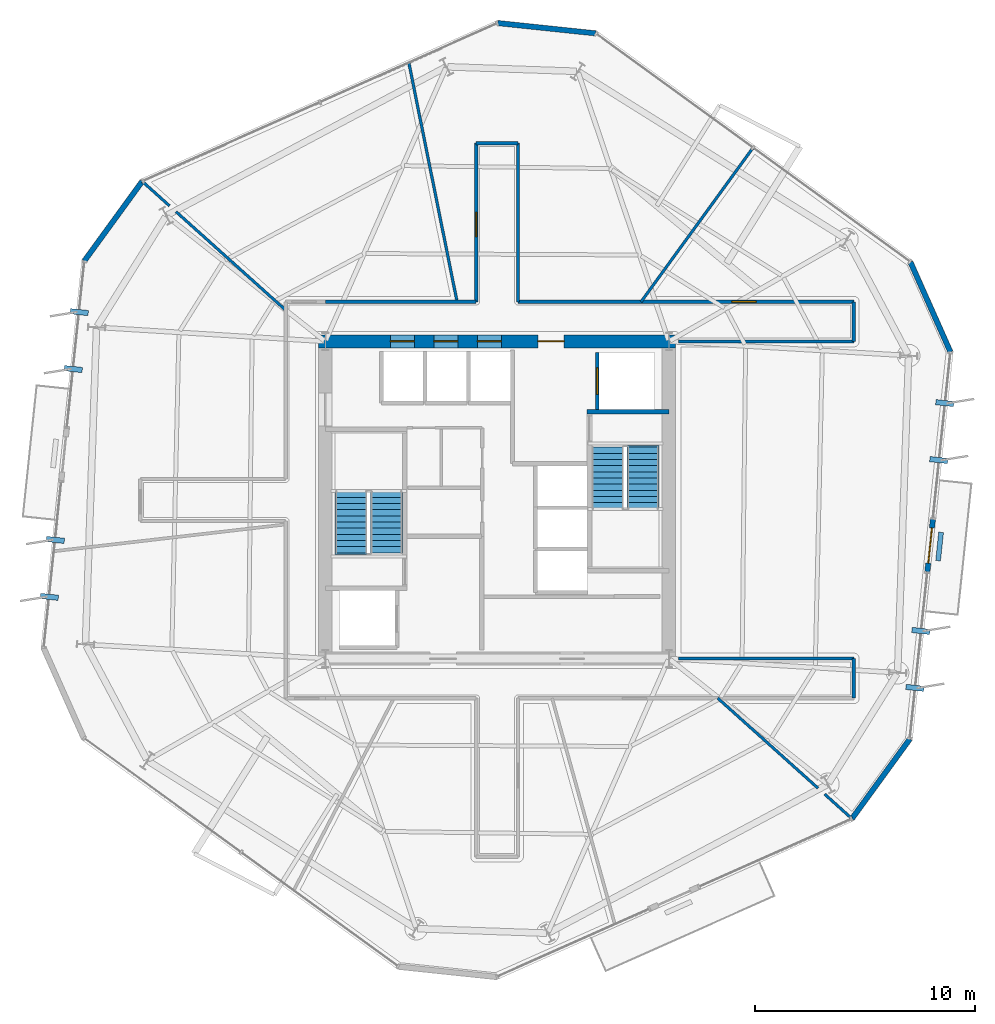
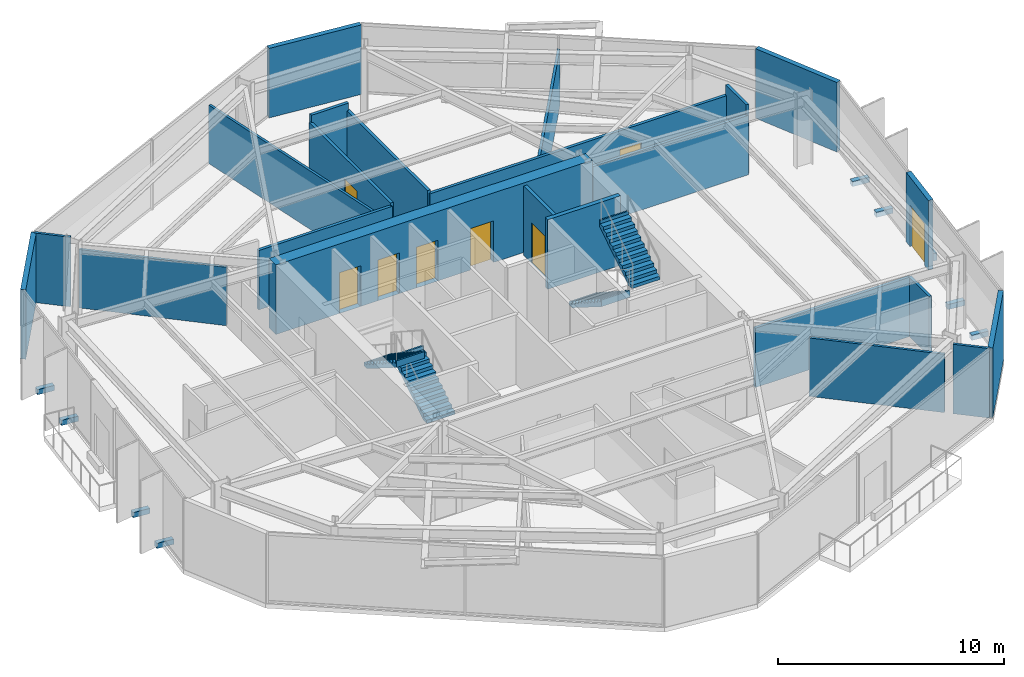
# One storey, part 8 of 13: 24 walls, 8 discrete accessories, 8 doors, 4 stair flights, 8 openings, 2 elements without a shape of their own.
"""IFC4 building model written with IfcOpenShell, lengths in metres."""

import ifcopenshell
import ifcopenshell.guid

model = None  # the IFC model being written
_history = None  # IfcOwnerHistory: only IFC2X3 demands one
_inside = {}  # id of a spatial element -> (the spatial element, [elements in it])
_under = {}  # id of a project, library or spatial element -> (it, [spatial elements below it])
_declared = {}  # id of a project -> (the project, [libraries it declares])
_typed = {}  # id of a type object -> (the type object, [elements of that type])
_made_of = {}  # id of a material, layer set ... -> (it, [elements and type objects made of it])


def new_model(schema):
    """Start an empty IFC model of exactly this schema.

    Asked for "IFC4X3", IfcOpenShell would pick the latest addendum, in which some entities
    have other attributes; the version numbers below select the first issue.
    IFC2X3 requires an IfcOwnerHistory on every rooted entity: one is made here for all.
    """
    global model, _history
    if schema == "IFC4X3":
        model = ifcopenshell.file(schema_version=(4, 3, 0, 0))
    else:
        model = ifcopenshell.file(schema=schema)
    _inside.clear()
    _under.clear()
    _declared.clear()
    _typed.clear()
    _made_of.clear()
    _history = None
    if model.schema == "IFC2X3":
        org = make("IfcOrganization", Name="unknown")
        user = make(
            "IfcPersonAndOrganization",
            ThePerson=make("IfcPerson", FamilyName="unknown"),
            TheOrganization=org,
        )
        app = make(
            "IfcApplication",
            ApplicationDeveloper=org,
            Version="unknown",
            ApplicationFullName="unknown",
            ApplicationIdentifier="unknown",
        )
        _history = make(
            "IfcOwnerHistory",
            OwningUser=user,
            OwningApplication=app,
            ChangeAction="ADDED",
            CreationDate=0,
        )
    return model


def make(cls, **values):
    """One entity of the class cls with the attributes given. An attribute that is None is left unset."""
    return model.create_entity(
        cls, **{name: value for name, value in values.items() if value is not None}
    )


def rooted(cls, **values):
    """An entity with a GlobalId (a new one), such as an element, a storey or a relation."""
    return make(cls, GlobalId=ifcopenshell.guid.new(), OwnerHistory=_history, **values)


def si_unit(unit_type, name, prefix=None):
    """IfcSIUnit, for example si_unit("LENGTHUNIT", "METRE", prefix="MILLI")."""
    return make("IfcSIUnit", UnitType=unit_type, Prefix=prefix, Name=name)


def assignment(units):
    """IfcUnitAssignment: the units of a project."""
    return None if units is None else make("IfcUnitAssignment", Units=units)


def point(xyz):
    """IfcCartesianPoint."""
    return None if xyz is None else make("IfcCartesianPoint", Coordinates=xyz)


def direction(xyz):
    """IfcDirection."""
    return None if xyz is None else make("IfcDirection", DirectionRatios=xyz)


def frame(location, z_axis=None, x_axis=None):
    """IfcAxis2Placement3D, a coordinate frame: its origin and axes. An axis left out is left unset."""
    return make(
        "IfcAxis2Placement3D",
        Location=point(location),
        Axis=direction(z_axis),
        RefDirection=direction(x_axis),
    )


def frame_2d(location, x_axis=None):
    """IfcAxis2Placement2D, a coordinate frame in the plane: its origin and x axis."""
    return make(
        "IfcAxis2Placement2D", Location=point(location), RefDirection=direction(x_axis)
    )


def origin():
    """The frame at (0, 0, 0) with its axes left unset."""
    return frame((0.0, 0.0, 0.0))


def origin_2d():
    """The frame at (0, 0) in the plane with its x axis left unset."""
    return frame_2d((0.0, 0.0))


def place(relative_to, where):
    """IfcLocalPlacement: puts the frame where relative to a parent placement (None: the world)."""
    return make(
        "IfcLocalPlacement", PlacementRelTo=relative_to, RelativePlacement=where
    )


def context(
    kind, dimensions, precision=None, world=None, true_north=None, identifier=None
):
    """IfcGeometricRepresentationContext, for example the 3D "Model" context."""
    return make(
        "IfcGeometricRepresentationContext",
        ContextIdentifier=identifier,
        ContextType=kind,
        CoordinateSpaceDimension=dimensions,
        Precision=precision,
        WorldCoordinateSystem=world,
        TrueNorth=true_north,
    )


def subcontext(parent, identifier, kind, view, scale=None):
    """IfcGeometricRepresentationSubContext, for example "Body" below "Model"."""
    return make(
        "IfcGeometricRepresentationSubContext",
        ContextIdentifier=identifier,
        ContextType=kind,
        ParentContext=parent,
        TargetScale=scale,
        TargetView=view,
    )


def project(units=None, contexts=None):
    """IfcProject with its units and contexts."""
    return rooted(
        "IfcProject",
        Name="project",
        RepresentationContexts=contexts,
        UnitsInContext=assignment(units),
    )


def spatial(cls, under=None, at=None, **own):
    """A site, building, storey or space (cls), placed at a placement, below another one or the project."""
    s = rooted(cls, ObjectPlacement=at, **own)
    if under is not None:
        _under.setdefault(under.id(), (under, []))[1].append(s)
    return s


def polyline(points):
    """IfcPolyline through the points."""
    return make("IfcPolyline", Points=[point(p) for p in points])


def profile(cls, at=None, kind="AREA", **sizes):
    """A parametric profile (cls). Its sizes go by their IFC names, for example OverallWidth=200.0."""
    return make(cls, ProfileType=kind, Position=at, **sizes)


def rectangle(**sizes):
    """IfcRectangleProfileDef."""
    return profile("IfcRectangleProfileDef", **sizes)


def outline(outer, holes=None, kind="AREA"):
    """IfcArbitraryClosedProfileDef: a profile drawn as a closed curve; with holes, ...WithVoids."""
    if holes is None:
        return make("IfcArbitraryClosedProfileDef", ProfileType=kind, OuterCurve=outer)
    return make(
        "IfcArbitraryProfileDefWithVoids",
        ProfileType=kind,
        OuterCurve=outer,
        InnerCurves=holes,
    )


def extrude(swept, where, along, depth):
    """IfcExtrudedAreaSolid: the profile swept, set in the frame where, extruded along a direction by depth."""
    return make(
        "IfcExtrudedAreaSolid",
        SweptArea=swept,
        Position=where,
        ExtrudedDirection=direction(along),
        Depth=depth,
    )


def shape(context_of_items, identifier, shape_type, items):
    """IfcShapeRepresentation: the items that make up one representation, for example the "Body"."""
    return make(
        "IfcShapeRepresentation",
        ContextOfItems=context_of_items,
        RepresentationIdentifier=identifier,
        RepresentationType=shape_type,
        Items=items,
    )


def material(Name=None, Category=None):
    """IfcMaterial."""
    return make("IfcMaterial", Name=Name, Category=Category)


def layer(
    of_material, thickness, ventilated=None, Name=None, Category=None, Priority=None
):
    """IfcMaterialLayer: one layer of a wall or slab, of a material (None: an air gap)."""
    return make(
        "IfcMaterialLayer",
        Material=of_material,
        LayerThickness=thickness,
        IsVentilated=ventilated,
        Name=Name,
        Category=Category,
        Priority=Priority,
    )


def layer_set(layers, Name=None):
    """IfcMaterialLayerSet."""
    return make("IfcMaterialLayerSet", MaterialLayers=layers, LayerSetName=Name)


def made_of(thing, what):
    """Note that an element or type object is made of a material, layer set ...; save() writes the relation."""
    if what is not None:
        _made_of.setdefault(what.id(), (what, []))[1].append(thing)
    return thing


def type_object(cls, material=None, **own):
    """A type object (cls), such as IfcWallType, which elements share."""
    return made_of(rooted(cls, **own), material)


def element(
    cls,
    number,
    at=None,
    inside=None,
    cuts=None,
    type_object=None,
    material=None,
    context=None,
    identifier="Body",
    shape_type=None,
    held_by="IfcProductDefinitionShape",
    body=None,
    shapes=None,
    **own,
):
    """One element of the class cls, such as IfcWall. Its Tag is "e" and its number.

    at: its placement. inside: the storey or other place that contains it. cuts: it is an
    opening in that element (IfcRelVoidsElement). A single representation is given by context,
    identifier, shape_type and body (its items); several are given by shapes. held_by: the class
    of the entity that holds the representations. save() writes the other relations.
    """
    e = rooted(cls, Tag="e%d" % number, ObjectPlacement=at, **own)
    if body is not None:
        shapes = [shape(context, identifier, shape_type, body)]
    if shapes is not None:
        e.Representation = make(held_by, Representations=shapes)
    if inside is not None:
        _inside.setdefault(inside.id(), (inside, []))[1].append(e)
    if cuts is not None:
        rooted(
            "IfcRelVoidsElement", RelatingBuildingElement=cuts, RelatedOpeningElement=e
        )
    if type_object is not None:
        _typed.setdefault(type_object.id(), (type_object, []))[1].append(e)
    return made_of(e, material)


def fill(opening, filler):
    """IfcRelFillsElement: the door or window that sits in an opening."""
    return rooted(
        "IfcRelFillsElement",
        RelatingOpeningElement=opening,
        RelatedBuildingElement=filler,
    )


def aggregate(whole, parts):
    """IfcRelAggregates: a whole, such as a stair, and the parts it consists of."""
    return rooted("IfcRelAggregates", RelatingObject=whole, RelatedObjects=parts)


def save(model, path):
    """Write the relations noted so far, then the file.

    IfcRelAggregates (storeys below a building ...), IfcRelContainedInSpatialStructure (elements
    in a storey), IfcRelDefinesByType, IfcRelAssociatesMaterial and IfcRelDeclares: one each for
    every whole, place, type object, material and project.
    """
    for whole, parts in _under.values():
        aggregate(whole, parts)
    for where, things in _inside.values():
        rooted(
            "IfcRelContainedInSpatialStructure",
            RelatedElements=things,
            RelatingStructure=where,
        )
    for kind, things in _typed.values():
        rooted("IfcRelDefinesByType", RelatedObjects=things, RelatingType=kind)
    for what, things in _made_of.values():
        rooted("IfcRelAssociatesMaterial", RelatedObjects=things, RelatingMaterial=what)
    for by, libraries in _declared.values():
        rooted("IfcRelDeclares", RelatingContext=by, RelatedDefinitions=libraries)
    model.write(path)


model = new_model("IFC4")

# Units and contexts
model_context = context("Model", 3, precision=1e-05, world=origin(), true_north=direction((0.0, 1.0)))
body_context = subcontext(model_context, "Body", "Model", "MODEL_VIEW")
ifc_project = project(units=[si_unit("LENGTHUNIT", "METRE"), si_unit("AREAUNIT", "SQUARE_METRE"), si_unit("VOLUMEUNIT", "CUBIC_METRE"), si_unit("PLANEANGLEUNIT", "RADIAN"), si_unit("MASSUNIT", "GRAM", prefix="KILO")], contexts=[model_context])

# Site, building, storey
site_placement = place(None, origin())
site = spatial("IfcSite", under=ifc_project, at=site_placement, CompositionType="ELEMENT")
building_placement = place(site_placement, origin())
building = spatial("IfcBuilding", under=site, at=building_placement, Name="Kranzbogen Civic Tower", CompositionType="ELEMENT")
storey_placement = place(building_placement, frame((0.0, 0.0, 118.39990234375)))
storey = spatial("IfcBuildingStorey", under=building, at=storey_placement, Name="L28", CompositionType="ELEMENT", Elevation=118.39990234375)

# Wall
ifc_material_1 = material(Name="Double-Stud Acoustic Gypsum Partition")
ifc_layer_1 = layer(ifc_material_1, 0.14990234375, Name="Double-Stud Acoustic Gypsum Partition")
ifc_layer_set_1 = layer_set([ifc_layer_1], Name="Double-Stud Acoustic Gypsum Partition")
wall_type_1 = type_object("IfcWallType", Name="Acoustic Corridor and Clinical Partition 150 mm", PredefinedType="PARTITIONING", material=ifc_layer_set_1)
wall_1_placement = place(storey_placement, frame((17.199951171875, 34.0, 0.0), z_axis=(0.0, 0.0, 1.0), x_axis=(1.0, 0.0, 0.0)))
element("IfcWall", 1, at=wall_1_placement, inside=storey, type_object=wall_type_1, Name="L28 corridor partition 10", PredefinedType="PARTITIONING", context=body_context, shape_type="SweptSolid", body=[
    extrude(rectangle(XDim=6.85009765625, YDim=0.14990234375, at=frame_2d((3.425048828125, 0.0))), origin(), (0.0, 0.0, 1.0), 3.210205078125),
])

# Wall, opening, door
wall_2_placement = place(storey_placement, frame((24.050048828125, 34.0, 0.0), z_axis=(0.0, 0.0, 1.0), x_axis=(0.0, 1.0, 0.0)))
wall_2 = element("IfcWall", 2, at=wall_2_placement, inside=storey, type_object=wall_type_1, Name="L28 corridor partition 11", PredefinedType="PARTITIONING", context=body_context, shape_type="SweptSolid", body=[
    extrude(rectangle(XDim=7.199951171875, YDim=0.14990234375, at=frame_2d((3.60009765625, 0.0))), origin(), (0.0, 0.0, 1.0), 3.360107421875),
])
opening_1_placement = place(wall_2_placement, frame((2.9619140625, 0.0, 0.0)))
opening_1 = element("IfcOpeningElement", 3, at=opening_1_placement, cuts=wall_2, Name="Opening D-COR60", PredefinedType="OPENING", context=body_context, shape_type="SweptSolid", body=[
    extrude(rectangle(XDim=1.10009765625, YDim=2.199951171875, at=frame_2d((0.550048828125, 1.10009765625))), frame((0.0, 0.0849609375, 0.0), z_axis=(0.0, -1.0, 0.0), x_axis=(1.0, 0.0, 0.0)), (0.0, 0.0, 1.0), 0.169921875),
])
ifc_material_2 = material(Name="Oak Timber and Fire Core", Category="wood")
door_type_1 = type_object("IfcDoorType", Name="Corridor Acoustic Fire Door 1100x2200", OperationType="NOTDEFINED", PredefinedType="DOOR", material=ifc_material_2)
door_1_placement = place(opening_1_placement, origin())
door_1 = element("IfcDoor", 4, at=door_1_placement, inside=storey, type_object=door_type_1, Name="L28 Hospitality Catering Kitchen door", OperationType="SINGLE_SWING_LEFT", OverallHeight=2.199951171875, OverallWidth=1.10009765625, PredefinedType="DOOR", context=body_context, shape_type="SweptSolid", body=[
    extrude(rectangle(XDim=1.10009765625, YDim=2.199951171875, at=frame_2d((0.550048828125, 1.10009765625))), frame((0.0, 0.02490234375, 0.0), z_axis=(0.0, -1.0, 0.0), x_axis=(1.0, 0.0, 0.0)), (0.0, 0.0, 1.0), 0.050048828125),
])
fill(opening_1, door_1)

# Walls
wall_3_placement = place(storey_placement, frame((24.050048828125, 41.199951171875, 0.0), z_axis=(0.0, 0.0, 1.0), x_axis=(1.0, 0.0, 0.0)))
element("IfcWall", 5, at=wall_3_placement, inside=storey, type_object=wall_type_1, Name="L28 corridor partition 12", PredefinedType="PARTITIONING", context=body_context, shape_type="SweptSolid", body=[
    extrude(rectangle(XDim=1.89990234375, YDim=0.14990234375, at=frame_2d((0.949951171875, 0.0))), origin(), (0.0, 0.0, 1.0), 3.760009765625),
])
wall_4_placement = place(storey_placement, frame((25.949951171875, 41.199951171875, 0.0), z_axis=(0.0, 0.0, 1.0), x_axis=(0.0, -1.0, 0.0)))
element("IfcWall", 6, at=wall_4_placement, inside=storey, type_object=wall_type_1, Name="L28 corridor partition 13", PredefinedType="PARTITIONING", context=body_context, shape_type="SweptSolid", body=[
    extrude(rectangle(XDim=7.199951171875, YDim=0.14990234375, at=frame_2d((3.60009765625, 0.0))), origin(), (0.0, 0.0, 1.0), 3.360107421875),
])

# Wall, opening, door
wall_5_placement = place(storey_placement, frame((25.949951171875, 34.0, 0.0), z_axis=(0.0, 0.0, 1.0), x_axis=(1.0, 0.0, 0.0)))
wall_5 = element("IfcWall", 7, at=wall_5_placement, inside=storey, type_object=wall_type_1, Name="L28 corridor partition 14", PredefinedType="PARTITIONING", context=body_context, shape_type="SweptSolid", body=[
    extrude(rectangle(XDim=15.25, YDim=0.14990234375, at=frame_2d((7.625, 0.0))), origin(), (0.0, 0.0, 1.0), 3.210205078125),
])
opening_2_placement = place(wall_5_placement, frame((9.717041015625, 0.0, 0.0)))
opening_2 = element("IfcOpeningElement", 8, at=opening_2_placement, cuts=wall_5, Name="Opening D-COR60", PredefinedType="OPENING", context=body_context, shape_type="SweptSolid", body=[
    extrude(rectangle(XDim=1.10009765625, YDim=2.199951171875, at=frame_2d((0.550048828125, 1.10009765625))), frame((0.0, 0.0849609375, 0.0), z_axis=(0.0, -1.0, 0.0), x_axis=(1.0, 0.0, 0.0)), (0.0, 0.0, 1.0), 0.169921875),
])
door_2_placement = place(opening_2_placement, origin())
door_2 = element("IfcDoor", 9, at=door_2_placement, inside=storey, type_object=door_type_1, Name="L28 Staff Tea Pantry door", OperationType="SINGLE_SWING_RIGHT", OverallHeight=2.199951171875, OverallWidth=1.10009765625, PredefinedType="DOOR", context=body_context, shape_type="SweptSolid", body=[
    extrude(rectangle(XDim=1.10009765625, YDim=2.199951171875, at=frame_2d((0.550048828125, 1.10009765625))), frame((0.0, 0.02490234375, 0.0), z_axis=(0.0, -1.0, 0.0), x_axis=(1.0, 0.0, 0.0)), (0.0, 0.0, 1.0), 0.050048828125),
])
fill(opening_2, door_2)

# Walls
wall_6_placement = place(storey_placement, frame((41.199951171875, 34.0, 0.0), z_axis=(0.0, 0.0, 1.0), x_axis=(0.0, -1.0, 0.0)))
element("IfcWall", 10, at=wall_6_placement, inside=storey, type_object=wall_type_1, Name="L28 corridor partition 15", PredefinedType="PARTITIONING", context=body_context, shape_type="SweptSolid", body=[
    extrude(rectangle(XDim=1.800048828125, YDim=0.14990234375, at=frame_2d((0.89990234375, 0.0))), origin(), (0.0, 0.0, 1.0), 3.760009765625),
])
for number, where, z_axis, x_axis, name in (
    (11, (41.199951171875, 32.199951171875, 0.0), (0.0, 0.0, 1.0), (-1.0, 0.0, 0.0), "L28 corridor partition 16"),
    (12, (33.2470703125, 17.800048828125, 0.0), (0.0, 0.0, 1.0), (1.0, 0.0, 0.0), "L28 corridor partition 17"),
):
    element("IfcWall", number, at=place(storey_placement, frame(where, z_axis=z_axis, x_axis=x_axis)), inside=storey, type_object=wall_type_1, Name=name, PredefinedType="PARTITIONING", context=body_context, shape_type="SweptSolid", body=[
        extrude(rectangle(XDim=7.952880859375, YDim=0.14990234375, at=frame_2d((3.9765625, 0.0))), origin(), (0.0, 0.0, 1.0), 3.210205078125),
    ])
wall_7_placement = place(storey_placement, frame((41.199951171875, 17.800048828125, 0.0), z_axis=(0.0, 0.0, 1.0), x_axis=(0.0, -1.0, 0.0)))
element("IfcWall", 13, at=wall_7_placement, inside=storey, type_object=wall_type_1, Name="L28 corridor partition 18", PredefinedType="PARTITIONING", context=body_context, shape_type="SweptSolid", body=[
    extrude(rectangle(XDim=1.800048828125, YDim=0.14990234375, at=frame_2d((0.89990234375, 0.0))), origin(), (0.0, 0.0, 1.0), 3.210205078125),
])
ifc_material_3 = material(Name="Insulated Metal-Stud Gypsum Partition")
ifc_layer_2 = layer(ifc_material_3, 0.125, Name="Insulated Metal-Stud Gypsum Partition")
ifc_layer_set_2 = layer_set([ifc_layer_2], Name="Insulated Metal-Stud Gypsum Partition")
wall_type_2 = type_object("IfcWallType", Name="Acoustic Inter-Room Partition 125 mm", PredefinedType="PARTITIONING", material=ifc_layer_set_2)
wall_8_placement = place(storey_placement, frame((31.5390625, 34.0, 0.0), z_axis=(0.0, 0.0, 1.0), x_axis=(0.587810002797, 0.808999011502, 0.0)))
element("IfcWall", 14, at=wall_8_placement, inside=storey, type_object=wall_type_2, Name="L28 radial room partition 01", PredefinedType="PARTITIONING", context=body_context, shape_type="SweptSolid", body=[
    extrude(rectangle(XDim=8.63037109375, YDim=0.125, at=frame_2d((4.315185546875, 0.0))), origin(), (0.0, 0.0, 1.0), 3.050048828125),
])
wall_9_placement = place(storey_placement, frame((23.18408203125, 34.0, 0.0), z_axis=(0.0, 0.0, 1.0), x_axis=(-0.197818005652, 0.980238765118, 0.0)))
element("IfcWall", 15, at=wall_9_placement, inside=storey, type_object=wall_type_2, Name="L28 radial room partition 02", PredefinedType="PARTITIONING", context=body_context, shape_type="SweptSolid", body=[
    extrude(rectangle(XDim=11.060546875, YDim=0.125, at=frame_2d((5.5302734375, 0.0))), origin(), (0.0, 0.0, 1.0), 3.16015625),
])
wall_10_placement = place(storey_placement, frame((15.39990234375, 33.62109375, 0.0), z_axis=(0.0, 0.0, 1.0), x_axis=(-0.744054267137, 0.668119186639, 0.0)))
element("IfcWall", 16, at=wall_10_placement, inside=storey, type_object=wall_type_2, Name="L28 radial room partition 03 part 1", PredefinedType="PARTITIONING", context=body_context, shape_type="SweptSolid", body=[
    extrude(rectangle(XDim=6.6875, YDim=0.125, at=frame_2d((3.34375, 0.0))), origin(), (0.0, 0.0, 1.0), 3.16015625),
])
wall_11_placement = place(storey_placement, frame((10.1279296875, 38.35498046875, 0.0), z_axis=(0.0, 0.0, 1.0), x_axis=(-0.743985633598, 0.668195612826, 0.0)))
element("IfcWall", 17, at=wall_11_placement, inside=storey, type_object=wall_type_2, Name="L28 radial room partition 03 part 2", PredefinedType="PARTITIONING", context=body_context, shape_type="SweptSolid", body=[
    extrude(rectangle(XDim=1.6494140625, YDim=0.125, at=frame_2d((0.82470703125, 0.0))), origin(), (0.0, 0.0, 1.0), 3.760009765625),
])
wall_12_placement = place(storey_placement, frame((35.02197265625, 16.0, 0.0), z_axis=(0.0, 0.0, 1.0), x_axis=(0.74406125681, -0.668111402472, 0.0)))
element("IfcWall", 18, at=wall_12_placement, inside=storey, type_object=wall_type_2, Name="L28 radial room partition 07 part 1", PredefinedType="PARTITIONING", context=body_context, shape_type="SweptSolid", body=[
    extrude(rectangle(XDim=6.120361328125, YDim=0.125, at=frame_2d((3.06005859375, 0.0))), origin(), (0.0, 0.0, 1.0), 3.16015625),
])
wall_13_placement = place(storey_placement, frame((39.8720703125, 11.64501953125, 0.0), z_axis=(0.0, 0.0, 1.0), x_axis=(0.743985633598, -0.668195612826, 0.0)))
element("IfcWall", 19, at=wall_13_placement, inside=storey, type_object=wall_type_2, Name="L28 radial room partition 07 part 2", PredefinedType="PARTITIONING", context=body_context, shape_type="SweptSolid", body=[
    extrude(rectangle(XDim=1.6494140625, YDim=0.125, at=frame_2d((0.82470703125, 0.0))), origin(), (0.0, 0.0, 1.0), 3.760009765625),
])
ifc_material_4 = material(Name="Architectural Precast Terracotta Concrete C40/50", Category="masonry")
ifc_layer_3 = layer(ifc_material_4, 0.219970703125, Name="Architectural Precast Terracotta Concrete C40/50")
ifc_layer_set_3 = layer_set([ifc_layer_3], Name="Architectural Precast Terracotta Concrete C40/50")
wall_type_3 = type_object("IfcWallType", Name="Architectural Tree Planter Kerb Wall 220 mm", PredefinedType="USERDEFINED", material=ifc_layer_set_3)
wall_14_placement = place(storey_placement, frame((45.02587890625, 22.241943359375, 0.0), z_axis=(0.0, 0.0, 1.0), x_axis=(0.104860863868, 0.994486902492, 0.0)))
element("IfcWall", 20, at=wall_14_placement, inside=storey, type_object=wall_type_3, Name="L28 landscaped tree balcony planter L28-TB1", ObjectType="PLANTER_WALL", PredefinedType="USERDEFINED", context=body_context, shape_type="SweptSolid", body=[
    extrude(rectangle(XDim=1.299072265625, YDim=0.219970703125, at=frame_2d((0.6494140625, 0.0))), origin(), (0.0, 0.0, 1.0), 0.400146484375),
])

# Wall, openings, doors
ifc_material_5 = material(Name="Concrete C55/67", Category="concrete")
ifc_layer_4 = layer(ifc_material_5, 0.60009765625, Name="Concrete C55/67")
ifc_layer_set_4 = layer_set([ifc_layer_4], Name="Concrete C55/67")
wall_type_4 = type_object("IfcWallType", Name="Central Core Shear Wall 600 mm", PredefinedType="SHEAR", material=ifc_layer_set_4)
wall_15_placement = place(storey_placement, frame((33.10009765625, 32.199951171875, 0.0), z_axis=(0.0, 0.0, 1.0), x_axis=(-1.0, 0.0, 0.0)))
wall_15 = element("IfcWall", 21, at=wall_15_placement, inside=storey, type_object=wall_type_4, Name="L28 central core North shear wall", PredefinedType="SHEAR", context=body_context, shape_type="SweptSolid", body=[
    extrude(rectangle(XDim=16.2001953125, YDim=0.60009765625, at=frame_2d((8.10009765625, 0.0))), origin(), (0.0, 0.0, 1.0), 3.760009765625),
])
opening_3_placement = place(wall_15_placement, frame((5.050048828125, 0.0, 0.0)))
opening_3 = element("IfcOpeningElement", 22, at=opening_3_placement, cuts=wall_15, Name="Opening D-EX120", PredefinedType="OPENING", context=body_context, shape_type="SweptSolid", body=[
    extrude(rectangle(XDim=1.199951171875, YDim=2.25, at=frame_2d((0.60009765625, 1.125))), frame((0.0, 0.31005859375, 0.0), z_axis=(0.0, -1.0, 0.0), x_axis=(1.0, 0.0, 0.0)), (0.0, 0.0, 1.0), 0.6201171875),
])
opening_4_placement = place(wall_15_placement, frame((11.85009765625, 0.0, 0.0)))
opening_4 = element("IfcOpeningElement", 23, at=opening_4_placement, cuts=wall_15, Name="Opening LD-MP-01", PredefinedType="OPENING", context=body_context, shape_type="SweptSolid", body=[
    extrude(rectangle(XDim=1.10009765625, YDim=2.199951171875, at=frame_2d((0.550048828125, 1.10009765625))), frame((0.0, 0.31005859375, 0.0), z_axis=(0.0, -1.0, 0.0), x_axis=(1.0, 0.0, 0.0)), (0.0, 0.0, 1.0), 0.6201171875),
])
opening_5_placement = place(wall_15_placement, frame((9.875, 0.0, 0.0)))
opening_5 = element("IfcOpeningElement", 24, at=opening_5_placement, cuts=wall_15, Name="Opening LD-MP-02", PredefinedType="OPENING", context=body_context, shape_type="SweptSolid", body=[
    extrude(rectangle(XDim=1.10009765625, YDim=2.199951171875, at=frame_2d((0.550048828125, 1.10009765625))), frame((0.0, 0.31005859375, 0.0), z_axis=(0.0, -1.0, 0.0), x_axis=(1.0, 0.0, 0.0)), (0.0, 0.0, 1.0), 0.6201171875),
])
opening_6_placement = place(wall_15_placement, frame((7.89990234375, 0.0, 0.0)))
opening_6 = element("IfcOpeningElement", 25, at=opening_6_placement, cuts=wall_15, Name="Opening LD-MP-03", PredefinedType="OPENING", context=body_context, shape_type="SweptSolid", body=[
    extrude(rectangle(XDim=1.10009765625, YDim=2.199951171875, at=frame_2d((0.550048828125, 1.10009765625))), frame((0.0, 0.31005859375, 0.0), z_axis=(0.0, -1.0, 0.0), x_axis=(1.0, 0.0, 0.0)), (0.0, 0.0, 1.0), 0.6201171875),
])
ifc_material_6 = material(Name="Steel S355", Category="steel")
door_type_2 = type_object("IfcDoorType", Name="Exit Passageway Fire Door 1200x2250", OperationType="NOTDEFINED", PredefinedType="DOOR", material=ifc_material_6)
door_3_placement = place(opening_3_placement, origin())
door_3 = element("IfcDoor", 26, at=door_3_placement, inside=storey, type_object=door_type_2, Name="L28 East firefighting lobby corridor door", OperationType="SINGLE_SWING_RIGHT", OverallHeight=2.25, OverallWidth=1.199951171875, PredefinedType="DOOR", context=body_context, shape_type="SweptSolid", body=[
    extrude(rectangle(XDim=1.199951171875, YDim=2.25, at=frame_2d((0.60009765625, 1.125))), frame((0.0, 0.02490234375, 0.0), z_axis=(0.0, -1.0, 0.0), x_axis=(1.0, 0.0, 0.0)), (0.0, 0.0, 1.0), 0.050048828125),
])
fill(opening_3, door_3)
ifc_material_7 = material(Name="Pale Anodised Aluminium", Category="aluminium")
door_type_3 = type_object("IfcDoorType", Name="Passenger Lift Sliding Landing Door 1100x2200", OperationType="DOUBLE_DOOR_SLIDING", PredefinedType="DOOR", material=ifc_material_7)
door_4_placement = place(opening_4_placement, origin())
door_4 = element("IfcDoor", 27, at=door_4_placement, inside=storey, type_object=door_type_3, Name="L28 lift MP-01 sliding landing door", OperationType="DOUBLE_DOOR_SLIDING", OverallHeight=2.199951171875, OverallWidth=1.10009765625, PredefinedType="DOOR", context=body_context, shape_type="SweptSolid", body=[
    extrude(rectangle(XDim=1.10009765625, YDim=2.199951171875, at=frame_2d((0.550048828125, 1.10009765625))), frame((0.0, 0.02490234375, 0.0), z_axis=(0.0, -1.0, 0.0), x_axis=(1.0, 0.0, 0.0)), (0.0, 0.0, 1.0), 0.050048828125),
])
fill(opening_4, door_4)
door_5_placement = place(opening_5_placement, origin())
door_5 = element("IfcDoor", 28, at=door_5_placement, inside=storey, type_object=door_type_3, Name="L28 lift MP-02 sliding landing door", OperationType="DOUBLE_DOOR_SLIDING", OverallHeight=2.199951171875, OverallWidth=1.10009765625, PredefinedType="DOOR", context=body_context, shape_type="SweptSolid", body=[
    extrude(rectangle(XDim=1.10009765625, YDim=2.199951171875, at=frame_2d((0.550048828125, 1.10009765625))), frame((0.0, 0.02490234375, 0.0), z_axis=(0.0, -1.0, 0.0), x_axis=(1.0, 0.0, 0.0)), (0.0, 0.0, 1.0), 0.050048828125),
])
fill(opening_5, door_5)
door_6_placement = place(opening_6_placement, origin())
door_6 = element("IfcDoor", 29, at=door_6_placement, inside=storey, type_object=door_type_3, Name="L28 lift MP-03 sliding landing door", OperationType="DOUBLE_DOOR_SLIDING", OverallHeight=2.199951171875, OverallWidth=1.10009765625, PredefinedType="DOOR", context=body_context, shape_type="SweptSolid", body=[
    extrude(rectangle(XDim=1.10009765625, YDim=2.199951171875, at=frame_2d((0.550048828125, 1.10009765625))), frame((0.0, 0.02490234375, 0.0), z_axis=(0.0, -1.0, 0.0), x_axis=(1.0, 0.0, 0.0)), (0.0, 0.0, 1.0), 0.050048828125),
])
fill(opening_6, door_6)

# Wall
ifc_material_8 = material(Name="Concrete C45/55", Category="concrete")
ifc_layer_5 = layer(ifc_material_8, 0.219970703125, Name="Concrete C45/55")
ifc_layer_set_5 = layer_set([ifc_layer_5], Name="Concrete C45/55")
wall_type_5 = type_object("IfcWallType", Name="Core Internal Stair Structural Wall 220 mm", PredefinedType="SOLIDWALL", material=ifc_layer_set_5)
wall_16_placement = place(storey_placement, frame((29.080078125, 29.010009765625, 0.0), z_axis=(0.0, 0.0, 1.0), x_axis=(1.0, 0.0, 0.0)))
element("IfcWall", 30, at=wall_16_placement, inside=storey, type_object=wall_type_5, Name="L28 ST-T2 North structural stair wall", PredefinedType="SOLIDWALL", context=body_context, shape_type="SweptSolid", body=[
    extrude(rectangle(XDim=3.719970703125, YDim=0.219970703125, at=frame_2d((1.85986328125, 0.0))), origin(), (0.0, 0.0, 1.0), 3.760009765625),
])

# Wall, opening, door
ifc_material_9 = material(Name="Gypsum Fireboard Shaftliner")
ifc_layer_6 = layer(ifc_material_9, 0.175048828125, Name="Gypsum Fireboard Shaftliner")
ifc_layer_set_6 = layer_set([ifc_layer_6], Name="Gypsum Fireboard Shaftliner")
wall_type_6 = type_object("IfcWallType", Name="Fire-Rated Lift and Service Shaft Wall 175 mm", PredefinedType="PARTITIONING", material=ifc_layer_set_6)
wall_17_placement = place(storey_placement, frame((29.550048828125, 29.10009765625, 0.0), z_axis=(0.0, 0.0, 1.0), x_axis=(0.0, 1.0, 0.0)))
wall_17 = element("IfcWall", 31, at=wall_17_placement, inside=storey, type_object=wall_type_6, Name="L28 lift FF-02 landing wall", PredefinedType="PARTITIONING", context=body_context, shape_type="SweptSolid", body=[
    extrude(rectangle(XDim=2.599853515625, YDim=0.175048828125, at=frame_2d((1.2998046875, 0.0))), origin(), (0.0, 0.0, 1.0), 3.760009765625),
])
opening_7_placement = place(wall_17_placement, frame((0.699951171875, 0.0, 0.0)))
opening_7 = element("IfcOpeningElement", 32, at=opening_7_placement, cuts=wall_17, Name="Opening LD-FF-02", PredefinedType="OPENING", context=body_context, shape_type="SweptSolid", body=[
    extrude(rectangle(XDim=1.199951171875, YDim=2.199951171875, at=frame_2d((0.60009765625, 1.10009765625))), frame((0.0, 0.09765625, 0.0), z_axis=(0.0, -1.0, 0.0), x_axis=(1.0, 0.0, 0.0)), (0.0, 0.0, 1.0), 0.195068359375),
])
door_type_4 = type_object("IfcDoorType", Name="Firefighting and Stretcher Lift Sliding Landing Door 1200x2200", OperationType="DOUBLE_DOOR_SLIDING", PredefinedType="DOOR", material=ifc_material_7)
door_7_placement = place(opening_7_placement, origin())
door_7 = element("IfcDoor", 33, at=door_7_placement, inside=storey, type_object=door_type_4, Name="L28 lift FF-02 sliding landing door", OperationType="DOUBLE_DOOR_SLIDING", OverallHeight=2.199951171875, OverallWidth=1.199951171875, PredefinedType="DOOR", context=body_context, shape_type="SweptSolid", body=[
    extrude(rectangle(XDim=1.199951171875, YDim=2.199951171875, at=frame_2d((0.60009765625, 1.10009765625))), frame((0.0, 0.02490234375, 0.0), z_axis=(0.0, -1.0, 0.0), x_axis=(1.0, 0.0, 0.0)), (0.0, 0.0, 1.0), 0.050048828125),
])
fill(opening_7, door_7)

# Walls
ifc_layer_7 = layer(ifc_material_7, 0.239990234375, Name="Pale Anodised Aluminium")
ifc_layer_set_7 = layer_set([ifc_layer_7], Name="Pale Anodised Aluminium")
wall_type_7 = type_object("IfcWallType", Name="Insulated Aluminium Facade Portal Wall 240 mm", PredefinedType="STANDARD", material=ifc_layer_set_7)
wall_18_placement = place(storey_placement, frame((29.47509765625, 46.18896484375, 0.0), z_axis=(0.0, 0.0, 1.0), x_axis=(-0.994530256506, 0.104448881729, 0.0)))
element("IfcWall", 34, at=wall_18_placement, inside=storey, type_object=wall_type_7, Name="L28 chamfered corner facade spandrel 1", PredefinedType="STANDARD", context=body_context, shape_type="SweptSolid", body=[
    extrude(rectangle(XDim=4.471435546875, YDim=0.239990234375, at=frame_2d((2.23583984375, 0.0))), origin(), (0.0, 0.0, 1.0), 3.760009765625),
])
for number, where, z_axis, x_axis, name in (
    (35, (8.886962890625, 39.468994140625, 0.0), (0.0, 0.0, 1.0), (-0.587898873753, -0.80893443136, 0.0), "L28 chamfered corner facade spandrel 2"),
    (36, (41.113037109375, 10.531005859375, 0.0), (0.0, 0.0, 1.0), (0.587898873753, 0.80893443136, 0.0), "L28 chamfered corner facade spandrel 5"),
):
    element("IfcWall", number, at=place(storey_placement, frame(where, z_axis=z_axis, x_axis=x_axis)), inside=storey, type_object=wall_type_7, Name=name, PredefinedType="STANDARD", context=body_context, shape_type="SweptSolid", body=[
        extrude(rectangle(XDim=4.469970703125, YDim=0.239990234375, at=frame_2d((2.23486328125, 0.0))), origin(), (0.0, 0.0, 1.0), 3.760009765625),
    ])

# Wall, opening, door
wall_19_placement = place(storey_placement, frame((44.5390625, 21.739013671875, 0.0), z_axis=(0.0, 0.0, 1.0), x_axis=(0.104165836226, 0.994559942167, 0.0)))
wall_19 = element("IfcWall", 37, at=wall_19_placement, inside=storey, type_object=wall_type_7, Name="L28 exterior entrance portal wall 1", PredefinedType="STANDARD", context=body_context, shape_type="SweptSolid", body=[
    extrude(rectangle(XDim=2.39990234375, YDim=0.239990234375, at=frame_2d((1.199951171875, 0.0))), origin(), (0.0, 0.0, 1.0), 3.760009765625),
])
opening_8_placement = place(wall_19_placement, frame((0.39990234375, 0.0, 0.0)))
opening_8 = element("IfcOpeningElement", 38, at=opening_8_placement, cuts=wall_19, Name="Opening D-TER", PredefinedType="OPENING", context=body_context, shape_type="SweptSolid", body=[
    extrude(rectangle(XDim=1.60009765625, YDim=2.25, at=frame_2d((0.800048828125, 1.125))), frame((0.0, 0.1298828125, 0.0), z_axis=(0.0, -1.0, 0.0), x_axis=(1.0, 0.0, 0.0)), (0.0, 0.0, 1.0), 0.260009765625),
])
ifc_material_10 = material(Name="Anodised Bronze and Triple Glass", Category="glass")
door_type_5 = type_object("IfcDoorType", Name="Glazed Terrace and Balcony Double Door 1600x2250", OperationType="DOUBLE_DOOR_SINGLE_SWING", PredefinedType="DOOR", material=ifc_material_10)
door_8_placement = place(opening_8_placement, frame((1.60009765625, 0.0, 0.0), z_axis=(0.0, 0.0, 1.0), x_axis=(-1.0, 0.0, 0.0)))
door_8 = element("IfcDoor", 39, at=door_8_placement, inside=storey, type_object=door_type_5, Name="L28 tree balcony access door L28-TB1", OperationType="DOUBLE_DOOR_SINGLE_SWING", OverallHeight=2.25, OverallWidth=1.60009765625, PredefinedType="DOOR", context=body_context, shape_type="SweptSolid", body=[
    extrude(rectangle(XDim=1.60009765625, YDim=2.25, at=frame_2d((0.800048828125, 1.125))), frame((0.0, 0.02490234375, 0.0), z_axis=(0.0, -1.0, 0.0), x_axis=(1.0, 0.0, 0.0)), (0.0, 0.0, 1.0), 0.050048828125),
])
fill(opening_8, door_8)

# Wall
wall_20_placement = place(storey_placement, frame((45.5869140625, 31.718994140625, 0.0), z_axis=(0.0, 0.0, 1.0), x_axis=(-0.406655262741, 0.913581686159, 0.0)))
element("IfcWall", 40, at=wall_20_placement, inside=storey, type_object=wall_type_7, Name="L28 chamfered corner facade spandrel 6", PredefinedType="STANDARD", context=body_context, shape_type="SweptSolid", body=[
    extrude(rectangle(XDim=4.47021484375, YDim=0.239990234375, at=frame_2d((2.235107421875, 0.0))), origin(), (0.0, 0.0, 1.0), 3.760009765625),
])

# Stair, stair flights
ifc_material_11 = material(Name="Precast concrete C40/50", Category="concrete")
stair_type_1 = type_object("IfcStairType", Name="Tower Core Pressurized Dogleg Stair 1450", PredefinedType="HALF_TURN_STAIR", material=ifc_material_11)
stair_1_placement = place(storey_placement, origin())
stair_1 = element("IfcStair", 41, at=stair_1_placement, inside=storey, type_object=stair_type_1, Name="L28 Tower Core Pressurized Stair 1", PredefinedType="HALF_TURN_STAIR")
stair_flight_type = type_object("IfcStairFlightType", Name="Precast Concrete Stair Flight R180", PredefinedType="STRAIGHT", material=ifc_material_11)
stair_flight_1_placement = place(storey_placement, frame((19.97509765625, 22.60009765625, 0.0), z_axis=(0.0, 0.0, 1.0), x_axis=(0.0, 1.0, 0.0)))
stair_flight_1 = element("IfcStairFlight", 42, at=stair_flight_1_placement, type_object=stair_flight_type, Name="ST-T1 flight 1", NumberOfRisers=11, NumberOfTreads=10, PredefinedType="STRAIGHT", RiserHeight=0.181818182, TreadLength=0.28, context=body_context, shape_type="SweptSolid", body=[
    extrude(outline(polyline([(0.0, 0.0), (0.0, 0.181884765625), (0.280029296875, 0.181884765625), (0.280029296875, 0.363525390625), (0.56005859375, 0.363525390625), (0.56005859375, 0.54541015625), (0.840087890625, 0.54541015625), (0.840087890625, 0.727294921875), (1.1201171875, 0.727294921875), (1.1201171875, 0.9091796875), (1.39990234375, 0.9091796875), (1.39990234375, 1.0908203125), (1.679931640625, 1.0908203125), (1.679931640625, 1.272705078125), (1.9599609375, 1.272705078125), (1.9599609375, 1.45458984375), (2.239990234375, 1.45458984375), (2.239990234375, 1.636474609375), (2.52001953125, 1.636474609375), (2.52001953125, 1.818115234375), (2.800048828125, 1.818115234375), (2.800048828125, 2.0), (2.880126953125, 2.0), (2.880126953125, 1.639404296875), (0.275146484375, 0.0), (0.0, 0.0)])), frame((0.0, 0.72509765625, 0.0), z_axis=(0.0, -1.0, 0.0), x_axis=(1.0, 0.0, 0.0)), (0.0, 0.0, 1.0), 1.449951171875),
])
stair_flight_2_placement = place(storey_placement, frame((18.375, 25.39990234375, 2.0), z_axis=(0.0, 0.0, 1.0), x_axis=(0.0, -1.0, 0.0)))
stair_flight_2 = element("IfcStairFlight", 43, at=stair_flight_2_placement, type_object=stair_flight_type, Name="ST-T1 flight 2", NumberOfRisers=11, NumberOfTreads=10, PredefinedType="STRAIGHT", RiserHeight=0.181818182, TreadLength=0.28, context=body_context, shape_type="SweptSolid", body=[
    extrude(outline(polyline([(0.0, 0.0), (0.0, 0.181884765625), (0.280029296875, 0.181884765625), (0.280029296875, 0.363525390625), (0.56005859375, 0.363525390625), (0.56005859375, 0.54541015625), (0.840087890625, 0.54541015625), (0.840087890625, 0.727294921875), (1.1201171875, 0.727294921875), (1.1201171875, 0.9091796875), (1.39990234375, 0.9091796875), (1.39990234375, 1.0908203125), (1.679931640625, 1.0908203125), (1.679931640625, 1.272705078125), (1.9599609375, 1.272705078125), (1.9599609375, 1.45458984375), (2.239990234375, 1.45458984375), (2.239990234375, 1.636474609375), (2.52001953125, 1.636474609375), (2.52001953125, 1.818115234375), (2.800048828125, 1.818115234375), (2.800048828125, 2.0), (2.880126953125, 2.0), (2.880126953125, 1.639404296875), (0.275146484375, 0.0), (0.0, 0.0)])), frame((0.0, 0.72509765625, 0.0), z_axis=(0.0, -1.0, 0.0), x_axis=(1.0, 0.0, 0.0)), (0.0, 0.0, 1.0), 1.449951171875),
])
aggregate(stair_1, [stair_flight_1, stair_flight_2])

stair_type_2 = type_object("IfcStairType", Name="Tower Core Secondary Dogleg Stair 1450", PredefinedType="HALF_TURN_STAIR", material=ifc_material_11)
stair_2_placement = place(storey_placement, origin())
stair_2 = element("IfcStair", 44, at=stair_2_placement, inside=storey, type_object=stair_type_2, Name="L28 Tower Core Pressurized Stair 2", PredefinedType="HALF_TURN_STAIR")
stair_flight_3_placement = place(storey_placement, frame((30.02490234375, 27.39990234375, 0.0), z_axis=(0.0, 0.0, 1.0), x_axis=(0.0, -1.0, 0.0)))
stair_flight_3 = element("IfcStairFlight", 45, at=stair_flight_3_placement, type_object=stair_flight_type, Name="ST-T2 flight 1", NumberOfRisers=11, NumberOfTreads=10, PredefinedType="STRAIGHT", RiserHeight=0.181818182, TreadLength=0.28, context=body_context, shape_type="SweptSolid", body=[
    extrude(outline(polyline([(0.0, 0.0), (0.0, 0.181884765625), (0.280029296875, 0.181884765625), (0.280029296875, 0.363525390625), (0.56005859375, 0.363525390625), (0.56005859375, 0.54541015625), (0.840087890625, 0.54541015625), (0.840087890625, 0.727294921875), (1.1201171875, 0.727294921875), (1.1201171875, 0.9091796875), (1.39990234375, 0.9091796875), (1.39990234375, 1.0908203125), (1.679931640625, 1.0908203125), (1.679931640625, 1.272705078125), (1.9599609375, 1.272705078125), (1.9599609375, 1.45458984375), (2.239990234375, 1.45458984375), (2.239990234375, 1.636474609375), (2.52001953125, 1.636474609375), (2.52001953125, 1.818115234375), (2.800048828125, 1.818115234375), (2.800048828125, 2.0), (2.880126953125, 2.0), (2.880126953125, 1.639404296875), (0.275146484375, 0.0), (0.0, 0.0)])), frame((0.0, 0.72509765625, 0.0), z_axis=(0.0, -1.0, 0.0), x_axis=(1.0, 0.0, 0.0)), (0.0, 0.0, 1.0), 1.449951171875),
])
stair_flight_4_placement = place(storey_placement, frame((31.625, 24.60009765625, 2.0), z_axis=(0.0, 0.0, 1.0), x_axis=(0.0, 1.0, 0.0)))
stair_flight_4 = element("IfcStairFlight", 46, at=stair_flight_4_placement, type_object=stair_flight_type, Name="ST-T2 flight 2", NumberOfRisers=11, NumberOfTreads=10, PredefinedType="STRAIGHT", RiserHeight=0.181818182, TreadLength=0.28, context=body_context, shape_type="SweptSolid", body=[
    extrude(outline(polyline([(0.0, 0.0), (0.0, 0.181884765625), (0.280029296875, 0.181884765625), (0.280029296875, 0.363525390625), (0.56005859375, 0.363525390625), (0.56005859375, 0.54541015625), (0.840087890625, 0.54541015625), (0.840087890625, 0.727294921875), (1.1201171875, 0.727294921875), (1.1201171875, 0.9091796875), (1.39990234375, 0.9091796875), (1.39990234375, 1.0908203125), (1.679931640625, 1.0908203125), (1.679931640625, 1.272705078125), (1.9599609375, 1.272705078125), (1.9599609375, 1.45458984375), (2.239990234375, 1.45458984375), (2.239990234375, 1.636474609375), (2.52001953125, 1.636474609375), (2.52001953125, 1.818115234375), (2.800048828125, 1.818115234375), (2.800048828125, 2.0), (2.880126953125, 2.0), (2.880126953125, 1.639404296875), (0.275146484375, 0.0), (0.0, 0.0)])), frame((0.0, 0.72509765625, 0.0), z_axis=(0.0, -1.0, 0.0), x_axis=(1.0, 0.0, 0.0)), (0.0, 0.0, 1.0), 1.449951171875),
])
aggregate(stair_2, [stair_flight_3, stair_flight_4])

# Discrete accessories
discrete_accessory_type = type_object("IfcDiscreteAccessoryType", Name="Structural Curtain-Wall Fin Support Bracket", PredefinedType="BRACKET", material=ifc_material_6)
for number, where, z_axis, x_axis, name in (
    (47, (6.027099609375, 33.530029296875, -0.25), (0.0, 0.0, 1.0), (-0.994521895368, 0.104528463268, 0.0), "L28 facade fin support bracket F3-1"),
    (48, (5.756103515625, 30.945068359375, -0.25), (0.0, 0.0, 1.0), (-0.994521895368, 0.104528463268, 0.0), "L28 facade fin support bracket F3-2"),
    (49, (4.94091796875, 23.18701171875, -0.25), (0.0, 0.0, 1.0), (-0.994521895368, 0.104528463268, 0.0), "L28 facade fin support bracket F3-5"),
    (50, (4.6689453125, 20.60107421875, -0.25), (0.0, 0.0, 1.0), (-0.994521895368, 0.104528463268, 0.0), "L28 facade fin support bracket F3-6"),
    (51, (43.972900390625, 16.469970703125, -0.25), (0.0, 0.0, 1.0), (0.994521895368, -0.104528463268, 0.0), "L28 facade fin support bracket F6-1"),
    (52, (44.243896484375, 19.054931640625, -0.25), (0.0, 0.0, 1.0), (0.994521895368, -0.104528463268, 0.0), "L28 facade fin support bracket F6-2"),
    (53, (45.05908203125, 26.81298828125, -0.25), (0.0, 0.0, 1.0), (0.994521895368, -0.104528463268, 0.0), "L28 facade fin support bracket F6-5"),
    (54, (45.3310546875, 29.39892578125, -0.25), (0.0, 0.0, 1.0), (0.994521895368, -0.104528463268, 0.0), "L28 facade fin support bracket F6-6"),
):
    element("IfcDiscreteAccessory", number, at=place(storey_placement, frame(where, z_axis=z_axis, x_axis=x_axis)), inside=storey, type_object=discrete_accessory_type, Name=name, PredefinedType="BRACKET", context=body_context, shape_type="SweptSolid", body=[
        extrude(rectangle(XDim=0.820068359375, YDim=0.239990234375, at=origin_2d()), origin(), (0.0, 0.0, 1.0), 0.280029296875),
    ])

save(model, "model.ifc")
